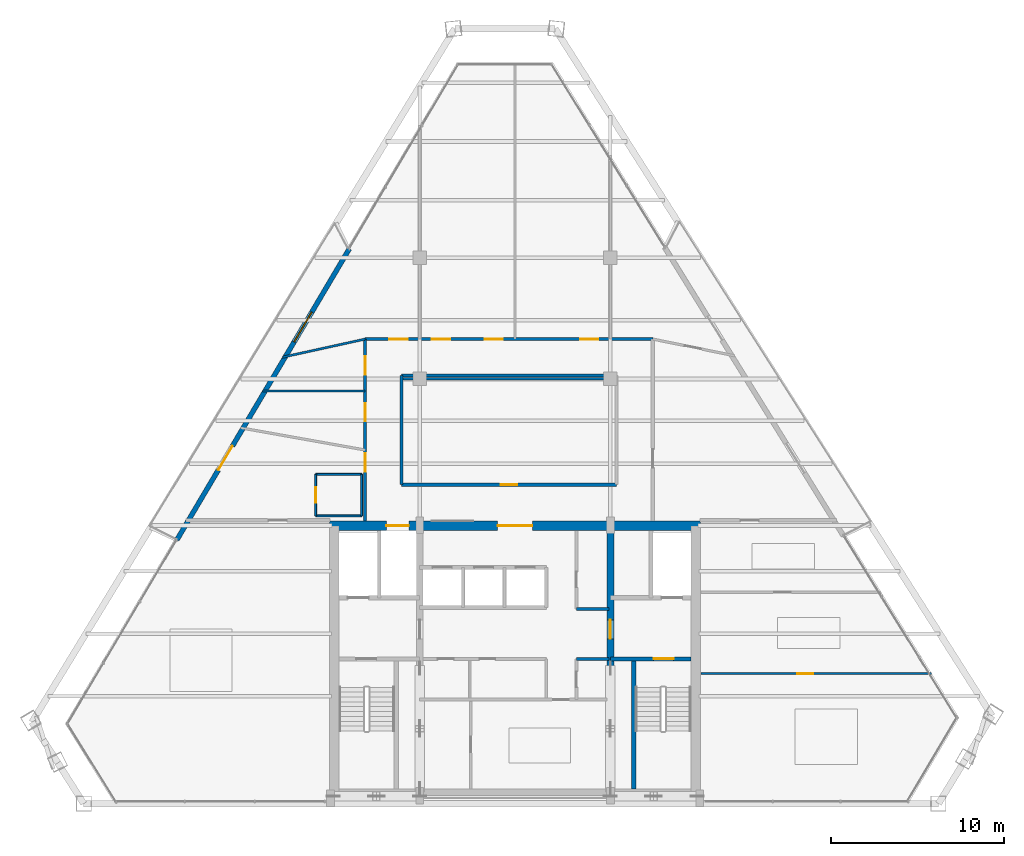
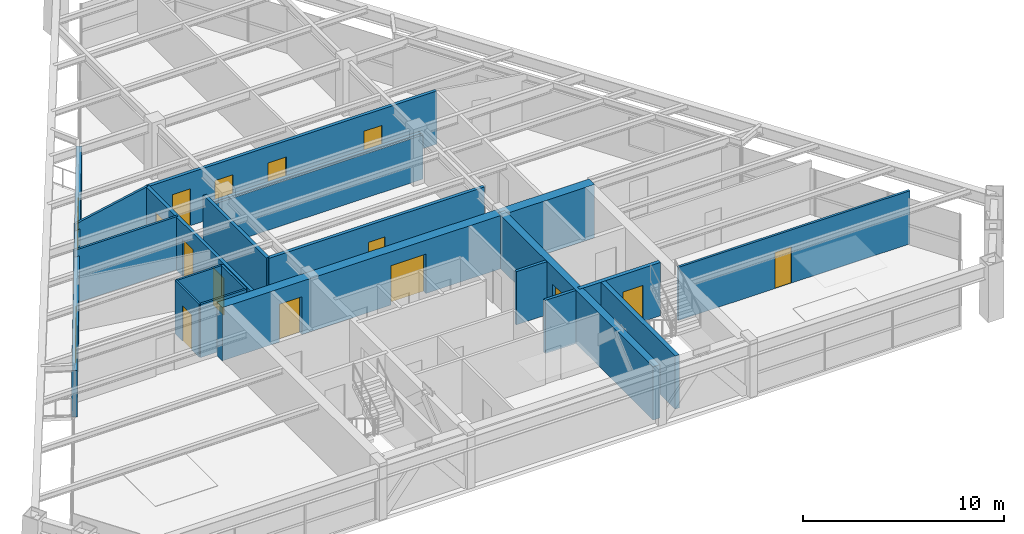
# One storey, part 9 of 12: 20 walls, 15 doors, 1 window, 16 openings.
"""IFC4 building model written with IfcOpenShell, lengths in metres."""

from ifc_helpers import new_model, si_unit, direction, frame, frame_2d, origin, place, context, subcontext, project, spatial, rectangle, extrude, source, transform, mapped, material, layer, layer_set, type_object, type_shapes, element, fill, save


model = new_model("IFC4")

# Units and contexts
model_context = context("Model", 3, precision=1e-05, world=origin(), true_north=direction((0.0, 1.0)))
body_context = subcontext(model_context, "Body", "Model", "MODEL_VIEW")
ifc_project = project(units=[si_unit("LENGTHUNIT", "METRE"), si_unit("AREAUNIT", "SQUARE_METRE"), si_unit("VOLUMEUNIT", "CUBIC_METRE"), si_unit("PLANEANGLEUNIT", "RADIAN"), si_unit("MASSUNIT", "GRAM", prefix="KILO")], contexts=[model_context])

# Site, building, storey
site_placement = place(None, origin())
site = spatial("IfcSite", under=ifc_project, at=site_placement, CompositionType="ELEMENT")
building_placement = place(site_placement, origin())
building = spatial("IfcBuilding", under=site, at=building_placement, Name="Varnakhor Terracotta Tower", CompositionType="ELEMENT")
storey_placement = place(building_placement, frame((0.0, 0.0, 233.800048828125)))
storey = spatial("IfcBuildingStorey", under=building, at=storey_placement, Name="L60", CompositionType="ELEMENT", Elevation=233.800048828125)

# Walls
ifc_material_1 = material(Name="Moisture-Resistant Tile-Backed Partition", Category="gypsum")
ifc_layer_1 = layer(ifc_material_1, 0.114990234375, Name="Moisture-Resistant Tile-Backed Partition")
ifc_layer_set_1 = layer_set([ifc_layer_1], Name="Moisture-Resistant Tile-Backed Partition")
wall_type_1 = type_object("IfcWallType", Name="WAL-BATH-115", PredefinedType="PARTITIONING", material=ifc_layer_set_1)
for number, where, z_axis, x_axis, name in (
    (1, (-11.5, 16.60009765625, 0.0), (0.0, 0.0, 1.0), (1.0, 0.0, 0.0), "L60 En-Suite 1 Wall S"),
    (2, (-11.5, 19.0, 0.0), (0.0, 0.0, 1.0), (1.0, 0.0, 0.0), "L60 En-Suite 1 Wall N"),
):
    element("IfcWall", number, at=place(storey_placement, frame(where, z_axis=z_axis, x_axis=x_axis)), inside=storey, type_object=wall_type_1, Name=name, PredefinedType="PARTITIONING", context=body_context, shape_type="SweptSolid", body=[
        extrude(rectangle(XDim=2.64990234375, YDim=0.114990234375, at=frame_2d((1.324951171875, 0.0))), origin(), (0.0, 0.0, 1.0), 3.23193359375),
    ])

# Wall, opening, door
wall_1_placement = place(storey_placement, frame((-11.5, 16.60009765625, 0.0), z_axis=(0.0, 0.0, 1.0), x_axis=(0.0, 1.0, 0.0)))
wall_1 = element("IfcWall", 3, at=wall_1_placement, inside=storey, type_object=wall_type_1, Name="L60 En-Suite 1 Wall W", PredefinedType="PARTITIONING", context=body_context, shape_type="SweptSolid", body=[
    extrude(rectangle(XDim=2.39990234375, YDim=0.114990234375, at=frame_2d((1.199951171875, 0.0))), origin(), (0.0, 0.0, 1.0), 3.23193359375),
])
opening_1_placement = place(wall_1_placement, frame((0.75, 0.0, 0.0)))
opening_1 = element("IfcOpeningElement", 4, at=opening_1_placement, cuts=wall_1, Name="Opening DR-93", PredefinedType="OPENING", context=body_context, shape_type="SweptSolid", body=[
    extrude(rectangle(XDim=0.89990234375, YDim=2.14990234375, at=frame_2d((0.449951171875, 1.074951171875))), frame((0.0, 0.0673828125, 0.0), z_axis=(0.0, -1.0, 0.0), x_axis=(1.0, 0.0, 0.0)), (0.0, 0.0, 1.0), 0.135009765625),
])
ifc_material_2 = material(Name="Moisture-Resistant Accessible Bathroom Door", Category="wood")
door_type_1 = type_object("IfcDoorType", Name="DR-BATH-900X2150", OperationType="NOTDEFINED", PredefinedType="DOOR", material=ifc_material_2)
shared_shape_1 = source(origin(), body_context, "Body", "SweptSolid", [
    extrude(rectangle(XDim=0.89990234375, YDim=2.14990234375, at=frame_2d((0.449951171875, 1.074951171875))), frame((0.0, 0.02490234375, 0.0), z_axis=(0.0, -1.0, 0.0), x_axis=(1.0, 0.0, 0.0)), (0.0, 0.0, 1.0), 0.050048828125),
])
type_shapes(door_type_1, [shared_shape_1])
door_1_placement = place(opening_1_placement, origin())
door_1 = element("IfcDoor", 5, at=door_1_placement, inside=storey, type_object=door_type_1, Name="L60 En-Suite Bathroom 1 Door", OperationType="SINGLE_SWING_LEFT", OverallHeight=2.14990234375, OverallWidth=0.89990234375, PredefinedType="DOOR", context=body_context, shape_type="MappedRepresentation", body=[
    mapped(shared_shape_1, transform((0.0, 0.0, 0.0), scale=1.0)),
])
fill(opening_1, door_1)

# Wall
wall_2_placement = place(storey_placement, frame((-8.85009765625, 16.60009765625, 0.0), z_axis=(0.0, 0.0, 1.0), x_axis=(0.0, 1.0, 0.0)))
element("IfcWall", 6, at=wall_2_placement, inside=storey, type_object=wall_type_1, Name="L60 En-Suite 1 Wall E", PredefinedType="PARTITIONING", context=body_context, shape_type="SweptSolid", body=[
    extrude(rectangle(XDim=2.39990234375, YDim=0.114990234375, at=frame_2d((1.199951171875, 0.0))), origin(), (0.0, 0.0, 1.0), 3.23193359375),
])

# Wall, openings, doors
ifc_material_3 = material(Name="Concrete C50/60", Category="concrete")
ifc_layer_2 = layer(ifc_material_3, 0.550048828125, Name="Concrete C50/60")
ifc_layer_set_2 = layer_set([ifc_layer_2], Name="Concrete C50/60")
wall_type_2 = type_object("IfcWallType", Name="WAL-CORE-550", PredefinedType="SHEAR", material=ifc_layer_set_2)
wall_3_placement = place(storey_placement, frame((-10.699951171875, 16.02490234375, 0.0), z_axis=(0.0, 0.0, 1.0), x_axis=(1.0, 0.0, 0.0)))
wall_3 = element("IfcWall", 7, at=wall_3_placement, inside=storey, type_object=wall_type_2, Name="L60 North Core Shear Wall", PredefinedType="SHEAR", context=body_context, shape_type="SweptSolid", body=[
    extrude(rectangle(XDim=21.39990234375, YDim=0.550048828125, at=frame_2d((10.699951171875, 0.0))), origin(), (0.0, 0.0, 1.0), 3.239990234375),
])
opening_2_placement = place(wall_3_placement, frame((3.27001953125, 0.0, 0.0)))
opening_2 = element("IfcOpeningElement", 8, at=opening_2_placement, cuts=wall_3, Name="Opening LD-03", PredefinedType="OPENING", context=body_context, shape_type="SweptSolid", body=[
    extrude(rectangle(XDim=1.300048828125, YDim=2.300048828125, at=frame_2d((0.64990234375, 1.14990234375))), frame((0.0, 0.28515625, 0.0), z_axis=(0.0, -1.0, 0.0), x_axis=(1.0, 0.0, 0.0)), (0.0, 0.0, 1.0), 0.570068359375),
])
opening_3_placement = place(wall_3_placement, frame((9.699951171875, 0.0, 0.0)))
opening_3 = element("IfcOpeningElement", 9, at=opening_3_placement, cuts=wall_3, Name="Opening DR-32", PredefinedType="OPENING", context=body_context, shape_type="SweptSolid", body=[
    extrude(rectangle(XDim=2.0, YDim=2.39990234375, at=frame_2d((1.0, 1.199951171875))), frame((0.0, 0.28515625, 0.0), z_axis=(0.0, -1.0, 0.0), x_axis=(1.0, 0.0, 0.0)), (0.0, 0.0, 1.0), 0.570068359375),
])
ifc_material_4 = material(Name="Heavy-Duty Goods Sliding Lift Landing Door", Category="steel")
door_type_2 = type_object("IfcDoorType", Name="LD-SRV-1300X2300", OperationType="NOTDEFINED", PredefinedType="DOOR", material=ifc_material_4)
shared_shape_2 = source(origin(), body_context, "Body", "SweptSolid", [
    extrude(rectangle(XDim=1.300048828125, YDim=2.300048828125, at=frame_2d((0.64990234375, 1.14990234375))), frame((0.0, 0.02490234375, 0.0), z_axis=(0.0, -1.0, 0.0), x_axis=(1.0, 0.0, 0.0)), (0.0, 0.0, 1.0), 0.050048828125),
])
type_shapes(door_type_2, [shared_shape_2])
door_2_placement = place(opening_2_placement, origin())
door_2 = element("IfcDoor", 10, at=door_2_placement, inside=storey, type_object=door_type_2, Name="L60 Service Lift SVL-1 Landing Door", OperationType="SLIDING_TO_RIGHT", OverallHeight=2.300048828125, OverallWidth=1.300048828125, PredefinedType="DOOR", context=body_context, shape_type="MappedRepresentation", body=[
    mapped(shared_shape_2, transform((0.0, 0.0, 0.0), scale=1.0)),
])
fill(opening_2, door_2)
ifc_material_5 = material(Name="Acoustic Double Assembly Fire Door", Category="wood")
door_type_3 = type_object("IfcDoorType", Name="DR-HALL-2000X2400", OperationType="NOTDEFINED", PredefinedType="DOOR", material=ifc_material_5)
shared_shape_3 = source(origin(), body_context, "Body", "SweptSolid", [
    extrude(rectangle(XDim=2.0, YDim=2.39990234375, at=frame_2d((1.0, 1.199951171875))), frame((0.0, 0.02490234375, 0.0), z_axis=(0.0, -1.0, 0.0), x_axis=(1.0, 0.0, 0.0)), (0.0, 0.0, 1.0), 0.050048828125),
])
type_shapes(door_type_3, [shared_shape_3])
door_3_placement = place(opening_3_placement, origin())
door_3 = element("IfcDoor", 11, at=door_3_placement, inside=storey, type_object=door_type_3, Name="L60 Core Main Lobby Double Door", OperationType="DOUBLE_DOOR_SINGLE_SWING", OverallHeight=2.39990234375, OverallWidth=2.0, PredefinedType="DOOR", context=body_context, shape_type="MappedRepresentation", body=[
    mapped(shared_shape_3, transform((0.0, 0.0, 0.0), scale=1.0)),
])
fill(opening_3, door_3)

# Wall, opening, door
ifc_layer_3 = layer(ifc_material_3, 0.39990234375, Name="Concrete C50/60")
ifc_layer_set_3 = layer_set([ifc_layer_3], Name="Concrete C50/60")
wall_type_3 = type_object("IfcWallType", Name="WAL-CORE-WEB-400", PredefinedType="SHEAR", material=ifc_layer_set_3)
wall_4_placement = place(storey_placement, frame((5.5, 0.574951171875, 0.0), z_axis=(0.0, 0.0, 1.0), x_axis=(0.0, 1.0, 0.0)))
wall_4 = element("IfcWall", 12, at=wall_4_placement, inside=storey, type_object=wall_type_3, Name="L60 East Core Web Shear Wall", PredefinedType="SHEAR", context=body_context, shape_type="SweptSolid", body=[
    extrude(rectangle(XDim=15.449951171875, YDim=0.39990234375, at=frame_2d((7.72509765625, 0.0))), origin(), (0.0, 0.0, 1.0), 3.239990234375),
])
opening_4_placement = place(wall_4_placement, frame((8.925048828125, 0.0, 0.0)))
opening_4 = element("IfcOpeningElement", 13, at=opening_4_placement, cuts=wall_4, Name="Opening DR-25", PredefinedType="OPENING", context=body_context, shape_type="SweptSolid", body=[
    extrude(rectangle(XDim=1.10009765625, YDim=2.199951171875, at=frame_2d((0.550048828125, 1.10009765625))), frame((0.0, 0.2099609375, 0.0), z_axis=(0.0, -1.0, 0.0), x_axis=(1.0, 0.0, 0.0)), (0.0, 0.0, 1.0), 0.419921875),
])
ifc_material_6 = material(Name="Firefighting Lobby Self-Closing Fire Door", Category="steel")
door_type_4 = type_object("IfcDoorType", Name="DR-FFL-1100X2200", OperationType="NOTDEFINED", PredefinedType="DOOR", material=ifc_material_6)
shared_shape_4 = source(origin(), body_context, "Body", "SweptSolid", [
    extrude(rectangle(XDim=1.10009765625, YDim=2.199951171875, at=frame_2d((0.550048828125, 1.10009765625))), frame((0.0, 0.02490234375, 0.0), z_axis=(0.0, -1.0, 0.0), x_axis=(1.0, 0.0, 0.0)), (0.0, 0.0, 1.0), 0.050048828125),
])
type_shapes(door_type_4, [shared_shape_4])
door_4_placement = place(opening_4_placement, origin())
door_4 = element("IfcDoor", 14, at=door_4_placement, inside=storey, type_object=door_type_4, Name="L60 East Firefighting Lobby Door", OperationType="SINGLE_SWING_RIGHT", OverallHeight=2.199951171875, OverallWidth=1.10009765625, PredefinedType="DOOR", context=body_context, shape_type="MappedRepresentation", body=[
    mapped(shared_shape_4, transform((0.0, 0.0, 0.0), scale=1.0)),
])
fill(opening_4, door_4)

ifc_material_7 = material(Name="Fire-Rated Gypsum Stud Partition", Category="gypsum")
ifc_layer_4 = layer(ifc_material_7, 0.18505859375, Name="Fire-Rated Gypsum Stud Partition")
ifc_layer_set_4 = layer_set([ifc_layer_4], Name="Fire-Rated Gypsum Stud Partition")
wall_type_4 = type_object("IfcWallType", Name="WAL-CORR-185", PredefinedType="PARTITIONING", material=ifc_layer_set_4)
wall_5_placement = place(storey_placement, frame((-6.550048828125, 18.39990234375, 0.0), z_axis=(0.0, 0.0, 1.0), x_axis=(1.0, 0.0, 0.0)))
wall_5 = element("IfcWall", 15, at=wall_5_placement, inside=storey, type_object=wall_type_4, Name="L60 Ring Inner South Wall", PredefinedType="PARTITIONING", context=body_context, shape_type="SweptSolid", body=[
    extrude(rectangle(XDim=12.400146484375, YDim=0.18505859375, at=frame_2d((6.2001953125, 0.0))), origin(), (0.0, 0.0, 1.0), 3.23193359375),
])
opening_5_placement = place(wall_5_placement, frame((5.72509765625, 0.0, 0.0)))
opening_5 = element("IfcOpeningElement", 16, at=opening_5_placement, cuts=wall_5, Name="Opening DR-94", PredefinedType="OPENING", context=body_context, shape_type="SweptSolid", body=[
    extrude(rectangle(XDim=0.949951171875, YDim=2.199951171875, at=frame_2d((0.47509765625, 1.10009765625))), frame((0.0, 0.1025390625, 0.0), z_axis=(0.0, -1.0, 0.0), x_axis=(1.0, 0.0, 0.0)), (0.0, 0.0, 1.0), 0.205078125),
])
ifc_material_8 = material(Name="Acoustic Glazed-Vision Timber Office Door", Category="wood")
door_type_5 = type_object("IfcDoorType", Name="DR-OFF-950X2200", OperationType="NOTDEFINED", PredefinedType="DOOR", material=ifc_material_8)
shared_shape_5 = source(origin(), body_context, "Body", "SweptSolid", [
    extrude(rectangle(XDim=0.949951171875, YDim=2.199951171875, at=frame_2d((0.47509765625, 1.10009765625))), frame((0.0, 0.02490234375, 0.0), z_axis=(0.0, -1.0, 0.0), x_axis=(1.0, 0.0, 0.0)), (0.0, 0.0, 1.0), 0.050048828125),
])
type_shapes(door_type_5, [shared_shape_5])
door_5_placement = place(opening_5_placement, origin())
door_5 = element("IfcDoor", 17, at=door_5_placement, inside=storey, type_object=door_type_5, Name="L60 Housekeeping Station Door", OperationType="SINGLE_SWING_LEFT", OverallHeight=2.199951171875, OverallWidth=0.949951171875, PredefinedType="DOOR", context=body_context, shape_type="MappedRepresentation", body=[
    mapped(shared_shape_5, transform((0.0, 0.0, 0.0), scale=1.0)),
])
fill(opening_5, door_5)

# Walls
wall_6_placement = place(storey_placement, frame((-6.550048828125, 24.699951171875, 0.0), z_axis=(0.0, 0.0, 1.0), x_axis=(1.0, 0.0, 0.0)))
element("IfcWall", 18, at=wall_6_placement, inside=storey, type_object=wall_type_4, Name="L60 Ring Inner North Wall", PredefinedType="PARTITIONING", context=body_context, shape_type="SweptSolid", body=[
    extrude(rectangle(XDim=12.400146484375, YDim=0.18505859375, at=frame_2d((6.2001953125, 0.0))), origin(), (0.0, 0.0, 1.0), 2.682861328125),
])
wall_7_placement = place(storey_placement, frame((-6.550048828125, 18.39990234375, 0.0), z_axis=(0.0, 0.0, 1.0), x_axis=(0.0, 1.0, 0.0)))
element("IfcWall", 19, at=wall_7_placement, inside=storey, type_object=wall_type_4, Name="L60 Ring Inner West Wall", PredefinedType="PARTITIONING", context=body_context, shape_type="SweptSolid", body=[
    extrude(rectangle(XDim=6.300048828125, YDim=0.18505859375, at=frame_2d((3.14990234375, 0.0))), origin(), (0.0, 0.0, 1.0), 3.23193359375),
])

# Wall, openings, doors
wall_8_placement = place(storey_placement, frame((-8.64990234375, 16.300048828125, 0.0), z_axis=(0.0, 0.0, 1.0), x_axis=(0.0, 1.0, 0.0)))
wall_8 = element("IfcWall", 20, at=wall_8_placement, inside=storey, type_object=wall_type_4, Name="L60 Hotel West Corridor Wall", PredefinedType="PARTITIONING", context=body_context, shape_type="SweptSolid", body=[
    extrude(rectangle(XDim=10.5, YDim=0.18505859375, at=frame_2d((5.25, 0.0))), origin(), (0.0, 0.0, 1.0), 3.23193359375),
])
opening_6_placement = place(wall_8_placement, frame((2.8544921875, 0.0, 0.0)))
opening_6 = element("IfcOpeningElement", 21, at=opening_6_placement, cuts=wall_8, Name="Opening DR-95", PredefinedType="OPENING", context=body_context, shape_type="SweptSolid", body=[
    extrude(rectangle(XDim=1.050048828125, YDim=2.25, at=frame_2d((0.52490234375, 1.125))), frame((0.0, 0.1025390625, 0.0), z_axis=(0.0, -1.0, 0.0), x_axis=(1.0, 0.0, 0.0)), (0.0, 0.0, 1.0), 0.205078125),
])
opening_7_placement = place(wall_8_placement, frame((5.75244140625, 0.0, 0.0)))
opening_7 = element("IfcOpeningElement", 22, at=opening_7_placement, cuts=wall_8, Name="Opening DR-95", PredefinedType="OPENING", context=body_context, shape_type="SweptSolid", body=[
    extrude(rectangle(XDim=1.050048828125, YDim=2.25, at=frame_2d((0.52490234375, 1.125))), frame((0.0, 0.1025390625, 0.0), z_axis=(0.0, -1.0, 0.0), x_axis=(1.0, 0.0, 0.0)), (0.0, 0.0, 1.0), 0.205078125),
])
opening_8_placement = place(wall_8_placement, frame((8.45654296875, 0.0, 0.0)))
opening_8 = element("IfcOpeningElement", 23, at=opening_8_placement, cuts=wall_8, Name="Opening DR-95", PredefinedType="OPENING", context=body_context, shape_type="SweptSolid", body=[
    extrude(rectangle(XDim=1.050048828125, YDim=2.25, at=frame_2d((0.52490234375, 1.125))), frame((0.0, 0.1025390625, 0.0), z_axis=(0.0, -1.0, 0.0), x_axis=(1.0, 0.0, 0.0)), (0.0, 0.0, 1.0), 0.205078125),
])
ifc_material_9 = material(Name="Solid-Core Timber Tenant/Hotel Entrance Door", Category="wood")
door_type_6 = type_object("IfcDoorType", Name="DR-SUITE-1050X2250", OperationType="NOTDEFINED", PredefinedType="DOOR", material=ifc_material_9)
shared_shape_6 = source(origin(), body_context, "Body", "SweptSolid", [
    extrude(rectangle(XDim=1.050048828125, YDim=2.25, at=frame_2d((0.52490234375, 1.125))), frame((0.0, 0.02490234375, 0.0), z_axis=(0.0, -1.0, 0.0), x_axis=(1.0, 0.0, 0.0)), (0.0, 0.0, 1.0), 0.050048828125),
])
type_shapes(door_type_6, [shared_shape_6])
door_6_placement = place(opening_6_placement, origin())
door_6 = element("IfcDoor", 24, at=door_6_placement, inside=storey, type_object=door_type_6, Name="L60 West Room 1 Entry Door", OperationType="SINGLE_SWING_RIGHT", OverallHeight=2.25, OverallWidth=1.050048828125, PredefinedType="DOOR", context=body_context, shape_type="MappedRepresentation", body=[
    mapped(shared_shape_6, transform((0.0, 0.0, 0.0), scale=1.0)),
])
fill(opening_6, door_6)
door_7_placement = place(opening_7_placement, origin())
door_7 = element("IfcDoor", 25, at=door_7_placement, inside=storey, type_object=door_type_6, Name="L60 West Room 2 Entry Door", OperationType="SINGLE_SWING_RIGHT", OverallHeight=2.25, OverallWidth=1.050048828125, PredefinedType="DOOR", context=body_context, shape_type="MappedRepresentation", body=[
    mapped(shared_shape_6, transform((0.0, 0.0, 0.0), scale=1.0)),
])
fill(opening_7, door_7)
door_8_placement = place(opening_8_placement, origin())
door_8 = element("IfcDoor", 26, at=door_8_placement, inside=storey, type_object=door_type_6, Name="L60 West Room 3 Entry Door", OperationType="SINGLE_SWING_LEFT", OverallHeight=2.25, OverallWidth=1.050048828125, PredefinedType="DOOR", context=body_context, shape_type="MappedRepresentation", body=[
    mapped(shared_shape_6, transform((0.0, 0.0, 0.0), scale=1.0)),
])
fill(opening_8, door_8)

wall_9_placement = place(storey_placement, frame((-8.64990234375, 26.800048828125, 0.0), z_axis=(0.0, 0.0, 1.0), x_axis=(1.0, 0.0, 0.0)))
wall_9 = element("IfcWall", 27, at=wall_9_placement, inside=storey, type_object=wall_type_4, Name="L60 Hotel North Corridor Wall", PredefinedType="PARTITIONING", context=body_context, shape_type="SweptSolid", body=[
    extrude(rectangle(XDim=16.599853515625, YDim=0.18505859375, at=frame_2d((8.2998046875, 0.0))), origin(), (0.0, 0.0, 1.0), 3.23193359375),
])
opening_9_placement = place(wall_9_placement, frame((3.847412109375, 0.0, 0.0)))
opening_9 = element("IfcOpeningElement", 28, at=opening_9_placement, cuts=wall_9, Name="Opening DR-95", PredefinedType="OPENING", context=body_context, shape_type="SweptSolid", body=[
    extrude(rectangle(XDim=1.050048828125, YDim=2.25, at=frame_2d((0.52490234375, 1.125))), frame((0.0, 0.1025390625, 0.0), z_axis=(0.0, -1.0, 0.0), x_axis=(1.0, 0.0, 0.0)), (0.0, 0.0, 1.0), 0.205078125),
])
opening_10_placement = place(wall_9_placement, frame((6.902587890625, 0.0, 0.0)))
opening_10 = element("IfcOpeningElement", 29, at=opening_10_placement, cuts=wall_9, Name="Opening DR-95", PredefinedType="OPENING", context=body_context, shape_type="SweptSolid", body=[
    extrude(rectangle(XDim=1.050048828125, YDim=2.25, at=frame_2d((0.52490234375, 1.125))), frame((0.0, 0.1025390625, 0.0), z_axis=(0.0, -1.0, 0.0), x_axis=(1.0, 0.0, 0.0)), (0.0, 0.0, 1.0), 0.205078125),
])
opening_11_placement = place(wall_9_placement, frame((12.402587890625, 0.0, 0.0)))
opening_11 = element("IfcOpeningElement", 30, at=opening_11_placement, cuts=wall_9, Name="Opening DR-95", PredefinedType="OPENING", context=body_context, shape_type="SweptSolid", body=[
    extrude(rectangle(XDim=1.050048828125, YDim=2.25, at=frame_2d((0.52490234375, 1.125))), frame((0.0, 0.1025390625, 0.0), z_axis=(0.0, -1.0, 0.0), x_axis=(1.0, 0.0, 0.0)), (0.0, 0.0, 1.0), 0.205078125),
])
opening_12_placement = place(wall_9_placement, frame((1.402587890625, 0.0, 0.0)))
opening_12 = element("IfcOpeningElement", 31, at=opening_12_placement, cuts=wall_9, Name="Opening DR-95", PredefinedType="OPENING", context=body_context, shape_type="SweptSolid", body=[
    extrude(rectangle(XDim=1.050048828125, YDim=2.25, at=frame_2d((0.52490234375, 1.125))), frame((0.0, 0.1025390625, 0.0), z_axis=(0.0, -1.0, 0.0), x_axis=(1.0, 0.0, 0.0)), (0.0, 0.0, 1.0), 0.205078125),
])
door_9_placement = place(opening_9_placement, origin())
door_9 = element("IfcDoor", 32, at=door_9_placement, inside=storey, type_object=door_type_6, Name="L60 North Suite 1 Entry Door", OperationType="SINGLE_SWING_LEFT", OverallHeight=2.25, OverallWidth=1.050048828125, PredefinedType="DOOR", context=body_context, shape_type="MappedRepresentation", body=[
    mapped(shared_shape_6, transform((0.0, 0.0, 0.0), scale=1.0)),
])
fill(opening_9, door_9)
door_10_placement = place(opening_10_placement, origin())
door_10 = element("IfcDoor", 33, at=door_10_placement, inside=storey, type_object=door_type_6, Name="L60 North Suite 2 Entry Door", OperationType="SINGLE_SWING_RIGHT", OverallHeight=2.25, OverallWidth=1.050048828125, PredefinedType="DOOR", context=body_context, shape_type="MappedRepresentation", body=[
    mapped(shared_shape_6, transform((0.0, 0.0, 0.0), scale=1.0)),
])
fill(opening_10, door_10)
door_11_placement = place(opening_11_placement, origin())
door_11 = element("IfcDoor", 34, at=door_11_placement, inside=storey, type_object=door_type_6, Name="L60 North Suite 3 Entry Door", OperationType="SINGLE_SWING_LEFT", OverallHeight=2.25, OverallWidth=1.050048828125, PredefinedType="DOOR", context=body_context, shape_type="MappedRepresentation", body=[
    mapped(shared_shape_6, transform((0.0, 0.0, 0.0), scale=1.0)),
])
fill(opening_11, door_11)
door_12_placement = place(opening_12_placement, origin())
door_12 = element("IfcDoor", 35, at=door_12_placement, inside=storey, type_object=door_type_6, Name="L60 Club Concierge Reception NW Door", OperationType="SINGLE_SWING_LEFT", OverallHeight=2.25, OverallWidth=1.050048828125, PredefinedType="DOOR", context=body_context, shape_type="MappedRepresentation", body=[
    mapped(shared_shape_6, transform((0.0, 0.0, 0.0), scale=1.0)),
])
fill(opening_12, door_12)

# Wall, openings, door, window
ifc_material_10 = material(Name="Extruded Architectural Terracotta Assembly", Category="masonry")
ifc_layer_5 = layer(ifc_material_10, 0.280029296875, Name="Extruded Architectural Terracotta Assembly")
ifc_layer_set_5 = layer_set([ifc_layer_5], Name="Extruded Architectural Terracotta Assembly")
wall_type_5 = type_object("IfcWallType", Name="WAL-EXT-TERRACOTTA-280", PredefinedType="SOLIDWALL", material=ifc_layer_set_5)
wall_10_placement = place(storey_placement, frame((-19.509033203125, 15.21875, 0.0), z_axis=(0.0, 0.0, 1.0), x_axis=(0.509744081024, 0.860326084611, 0.0)))
wall_10 = element("IfcWall", 36, at=wall_10_placement, inside=storey, type_object=wall_type_5, Name="L60 W Loggia Insulated Terracotta Wall", PredefinedType="SOLIDWALL", context=body_context, shape_type="SweptSolid", body=[
    extrude(rectangle(XDim=19.511474609375, YDim=0.280029296875, at=frame_2d((9.755859375, 0.0))), origin(), (0.0, 0.0, 1.0), 2.820068359375),
])
opening_13_placement = place(wall_10_placement, frame((4.6826171875, 0.0, 0.0)))
opening_13 = element("IfcOpeningElement", 37, at=opening_13_placement, cuts=wall_10, Name="Opening DR-62", PredefinedType="OPENING", context=body_context, shape_type="SweptSolid", body=[
    extrude(rectangle(XDim=1.60009765625, YDim=2.35009765625, at=frame_2d((0.800048828125, 1.175048828125))), frame((0.0, 0.14990234375, 0.0), z_axis=(0.0, -1.0, 0.0), x_axis=(1.0, 0.0, 0.0)), (0.0, 0.0, 1.0), 0.300048828125),
])
opening_14_placement = place(wall_10_placement, frame((13.267578125, 0.0, 0.89990234375)))
opening_14 = element("IfcOpeningElement", 38, at=opening_14_placement, cuts=wall_10, Name="Opening WN-63", PredefinedType="OPENING", context=body_context, shape_type="SweptSolid", body=[
    extrude(rectangle(XDim=2.0, YDim=1.75, at=frame_2d((1.0, 0.875))), frame((0.0, 0.14990234375, 0.0), z_axis=(0.0, -1.0, 0.0), x_axis=(1.0, 0.0, 0.0)), (0.0, 0.0, 1.0), 0.300048828125),
])
ifc_material_11 = material(Name="Thermally Broken Sliding Glass Loggia Door", Category="glass")
door_type_7 = type_object("IfcDoorType", Name="DR-EXT-LOGGIA-1600X2350", OperationType="NOTDEFINED", PredefinedType="DOOR", material=ifc_material_11)
shared_shape_7 = source(origin(), body_context, "Body", "SweptSolid", [
    extrude(rectangle(XDim=1.60009765625, YDim=2.35009765625, at=frame_2d((0.800048828125, 1.175048828125))), frame((0.0, 0.02490234375, 0.0), z_axis=(0.0, -1.0, 0.0), x_axis=(1.0, 0.0, 0.0)), (0.0, 0.0, 1.0), 0.050048828125),
])
type_shapes(door_type_7, [shared_shape_7])
door_13_placement = place(opening_13_placement, origin())
door_13 = element("IfcDoor", 39, at=door_13_placement, inside=storey, type_object=door_type_7, Name="L60 W Recessed Loggia Sliding Door", OperationType="SLIDING_TO_LEFT", OverallHeight=2.35009765625, OverallWidth=1.60009765625, PredefinedType="DOOR", context=body_context, shape_type="MappedRepresentation", body=[
    mapped(shared_shape_7, transform((0.0, 0.0, 0.0), scale=1.0)),
])
fill(opening_13, door_13)
ifc_material_12 = material(Name="Solar-Control Low-E Insulated Glass Unit", Category="glass")
window_type = type_object("IfcWindowType", Name="WIN-HTL-2000X1950", PartitioningType="SINGLE_PANEL", PredefinedType="WINDOW", material=ifc_material_12)
shared_shape_8 = source(origin(), body_context, "Body", "SweptSolid", [
    extrude(rectangle(XDim=2.0, YDim=1.75, at=frame_2d((1.0, 0.875))), frame((0.0, 0.030029296875, 0.0), z_axis=(0.0, -1.0, 0.0), x_axis=(1.0, 0.0, 0.0)), (0.0, 0.0, 1.0), 0.06005859375),
])
type_shapes(window_type, [shared_shape_8])
window_placement = place(opening_14_placement, origin())
window = element("IfcWindow", 40, at=window_placement, inside=storey, type_object=window_type, Name="L60 W Facet Punched Window", OverallHeight=1.75, OverallWidth=2.0, PartitioningType="SINGLE_PANEL", PredefinedType="WINDOW", context=body_context, shape_type="MappedRepresentation", body=[
    mapped(shared_shape_8, transform((0.0, 0.0, 0.0), scale=1.0)),
])
fill(opening_14, window)

# Wall, opening, door
ifc_material_13 = material(Name="Concrete C40/50", Category="concrete")
ifc_layer_6 = layer(ifc_material_13, 0.219970703125, Name="Concrete C40/50")
ifc_layer_set_6 = layer_set([ifc_layer_6], Name="Concrete C40/50")
wall_type_6 = type_object("IfcWallType", Name="WAL-FFLOBBY-220", PredefinedType="SOLIDWALL", material=ifc_layer_set_6)
wall_11_placement = place(storey_placement, frame((10.14990234375, 8.35009765625, 0.0), z_axis=(0.0, 0.0, 1.0), x_axis=(-1.0, 0.0, 0.0)))
wall_11 = element("IfcWall", 41, at=wall_11_placement, inside=storey, type_object=wall_type_6, Name="L60 East Firefighting Lobby Stair Wall", PredefinedType="SOLIDWALL", context=body_context, shape_type="SweptSolid", body=[
    extrude(rectangle(XDim=4.64990234375, YDim=0.219970703125, at=frame_2d((2.324951171875, 0.0))), origin(), (0.0, 0.0, 1.0), 3.239990234375),
])
opening_15_placement = place(wall_11_placement, frame((1.0, 0.0, 0.0)))
opening_15 = element("IfcOpeningElement", 42, at=opening_15_placement, cuts=wall_11, Name="Opening DR-34", PredefinedType="OPENING", context=body_context, shape_type="SweptSolid", body=[
    extrude(rectangle(XDim=1.14990234375, YDim=2.199951171875, at=frame_2d((0.574951171875, 1.10009765625))), frame((0.0, 0.1201171875, 0.0), z_axis=(0.0, -1.0, 0.0), x_axis=(1.0, 0.0, 0.0)), (0.0, 0.0, 1.0), 0.239990234375),
])
ifc_material_14 = material(Name="Self-Closing Smoke-Sealed Steel Fire Door", Category="steel")
door_type_8 = type_object("IfcDoorType", Name="DR-STAIR-1150X2200", OperationType="NOTDEFINED", PredefinedType="DOOR", material=ifc_material_14)
shared_shape_9 = source(origin(), body_context, "Body", "SweptSolid", [
    extrude(rectangle(XDim=1.14990234375, YDim=2.199951171875, at=frame_2d((0.574951171875, 1.10009765625))), frame((0.0, 0.02490234375, 0.0), z_axis=(0.0, -1.0, 0.0), x_axis=(1.0, 0.0, 0.0)), (0.0, 0.0, 1.0), 0.050048828125),
])
type_shapes(door_type_8, [shared_shape_9])
door_14_placement = place(opening_15_placement, origin())
door_14 = element("IfcDoor", 43, at=door_14_placement, inside=storey, type_object=door_type_8, Name="L60 Exit Stair ST-2 Fire Door", OperationType="SINGLE_SWING_LEFT", OverallHeight=2.199951171875, OverallWidth=1.14990234375, PredefinedType="DOOR", context=body_context, shape_type="MappedRepresentation", body=[
    mapped(shared_shape_9, transform((0.0, 0.0, 0.0), scale=1.0)),
])
fill(opening_15, door_14)

# Wall
ifc_material_15 = material(Name="Acoustic Hotel Room Partition", Category="gypsum")
ifc_layer_7 = layer(ifc_material_15, 0.1298828125, Name="Acoustic Hotel Room Partition")
ifc_layer_set_7 = layer_set([ifc_layer_7], Name="Acoustic Hotel Room Partition")
wall_type_7 = type_object("IfcWallType", Name="WAL-PART-130", PredefinedType="PARTITIONING", material=ifc_layer_set_7)
wall_12_placement = place(storey_placement, frame((-13.41845703125, 25.753173828125, 0.0), z_axis=(0.0, 0.0, 1.0), x_axis=(0.976739234334, 0.214430567112, 0.0)))
element("IfcWall", 44, at=wall_12_placement, inside=storey, type_object=wall_type_7, Name="L60 North West Suite South Wall", PredefinedType="PARTITIONING", context=body_context, shape_type="SweptSolid", body=[
    extrude(rectangle(XDim=4.882080078125, YDim=0.1298828125, at=frame_2d((2.44091796875, 0.0))), origin(), (0.0, 0.0, 1.0), 3.23193359375),
])

# Wall, opening, door
wall_13_placement = place(storey_placement, frame((10.719970703125, 7.5, 0.0), z_axis=(0.0, 0.0, 1.0), x_axis=(1.0, 0.0, 0.0)))
wall_13 = element("IfcWall", 45, at=wall_13_placement, inside=storey, type_object=wall_type_7, Name="L60 SE Key Split 1", PredefinedType="PARTITIONING", context=body_context, shape_type="SweptSolid", body=[
    extrude(rectangle(XDim=13.307373046875, YDim=0.1298828125, at=frame_2d((6.65380859375, 0.0))), origin(), (0.0, 0.0, 1.0), 3.23193359375),
])
opening_16_placement = place(wall_13_placement, frame((5.54736328125, 0.0, 0.0)))
opening_16 = element("IfcOpeningElement", 46, at=opening_16_placement, cuts=wall_13, Name="Opening DR-94", PredefinedType="OPENING", context=body_context, shape_type="SweptSolid", body=[
    extrude(rectangle(XDim=0.949951171875, YDim=2.199951171875, at=frame_2d((0.47509765625, 1.10009765625))), frame((0.0, 0.074951171875, 0.0), z_axis=(0.0, -1.0, 0.0), x_axis=(1.0, 0.0, 0.0)), (0.0, 0.0, 1.0), 0.14990234375),
])
door_15_placement = place(opening_16_placement, origin())
door_15 = element("IfcDoor", 47, at=door_15_placement, inside=storey, type_object=door_type_5, Name="L60 SE Suite Connect Door 1", OperationType="SINGLE_SWING_RIGHT", OverallHeight=2.199951171875, OverallWidth=0.949951171875, PredefinedType="DOOR", context=body_context, shape_type="MappedRepresentation", body=[
    mapped(shared_shape_5, transform((0.0, 0.0, 0.0), scale=1.0)),
])
fill(opening_16, door_15)

# Walls
wall_14_placement = place(storey_placement, frame((-14.57568359375, 23.800048828125, 0.0), z_axis=(0.0, 0.0, 1.0), x_axis=(1.0, 0.0, 0.0)))
element("IfcWall", 48, at=wall_14_placement, inside=storey, type_object=wall_type_7, Name="L60 West Key Cut 2", PredefinedType="PARTITIONING", context=body_context, shape_type="SweptSolid", body=[
    extrude(rectangle(XDim=5.92578125, YDim=0.1298828125, at=frame_2d((2.962890625, 0.0))), origin(), (0.0, 0.0, 1.0), 3.23193359375),
])
ifc_material_16 = material(Name="Acoustic Metal-Stud Partition", Category="gypsum")
ifc_layer_8 = layer(ifc_material_16, 0.139892578125, Name="Acoustic Metal-Stud Partition")
ifc_layer_set_8 = layer_set([ifc_layer_8], Name="Acoustic Metal-Stud Partition")
wall_type_8 = type_object("IfcWallType", Name="WAL-PART-140", PredefinedType="PARTITIONING", material=ifc_layer_set_8)
wall_15_placement = place(storey_placement, frame((-6.550048828125, 24.5, 0.0), z_axis=(0.0, 0.0, 1.0), x_axis=(1.0, 0.0, 0.0)))
element("IfcWall", 49, at=wall_15_placement, inside=storey, type_object=wall_type_8, Name="L60 Inner Service Split", PredefinedType="PARTITIONING", context=body_context, shape_type="SweptSolid", body=[
    extrude(rectangle(XDim=12.400146484375, YDim=0.139892578125, at=frame_2d((6.2001953125, 0.0))), origin(), (0.0, 0.0, 1.0), 2.682861328125),
])
ifc_layer_9 = layer(ifc_material_13, 0.25, Name="Concrete C40/50")
ifc_layer_set_9 = layer_set([ifc_layer_9], Name="Concrete C40/50")
wall_type_9 = type_object("IfcWallType", Name="WAL-SHAFT-250", PredefinedType="SOLIDWALL", material=ifc_layer_set_9)
wall_16_placement = place(storey_placement, frame((6.85009765625, 0.85009765625, 0.0), z_axis=(0.0, 0.0, 1.0), x_axis=(0.0, 1.0, 0.0)))
element("IfcWall", 50, at=wall_16_placement, inside=storey, type_object=wall_type_9, Name="L60 Stair ST-2 Bearing Shaft Wall", PredefinedType="SOLIDWALL", context=body_context, shape_type="SweptSolid", body=[
    extrude(rectangle(XDim=7.5, YDim=0.25, at=frame_2d((3.75, 0.0))), origin(), (0.0, 0.0, 1.0), 3.239990234375),
])
ifc_material_17 = material(Name="Acoustic Fire-Rated Partition", Category="gypsum")
ifc_layer_10 = layer(ifc_material_17, 0.1650390625, Name="Acoustic Fire-Rated Partition")
ifc_layer_set_10 = layer_set([ifc_layer_10], Name="Acoustic Fire-Rated Partition")
wall_type_10 = type_object("IfcWallType", Name="WAL-TENANCY-165", PredefinedType="PARTITIONING", material=ifc_layer_set_10)
for number, where, z_axis, x_axis, name in (
    (51, (3.5400390625, 8.340087890625, 0.0), (0.0, 0.0, 1.0), (1.0, 0.0, 0.0), "L60 Accessible WC North Wall"),
    (52, (3.5400390625, 11.219970703125, 0.0), (0.0, 0.0, 1.0), (1.0, 0.0, 0.0), "L60 Restroom South Wall"),
):
    element("IfcWall", number, at=place(storey_placement, frame(where, z_axis=z_axis, x_axis=x_axis)), inside=storey, type_object=wall_type_10, Name=name, PredefinedType="PARTITIONING", context=body_context, shape_type="SweptSolid", body=[
        extrude(rectangle(XDim=1.8798828125, YDim=0.1650390625, at=frame_2d((0.93994140625, 0.0))), origin(), (0.0, 0.0, 1.0), 3.23193359375),
    ])

save(model, "model.ifc")
